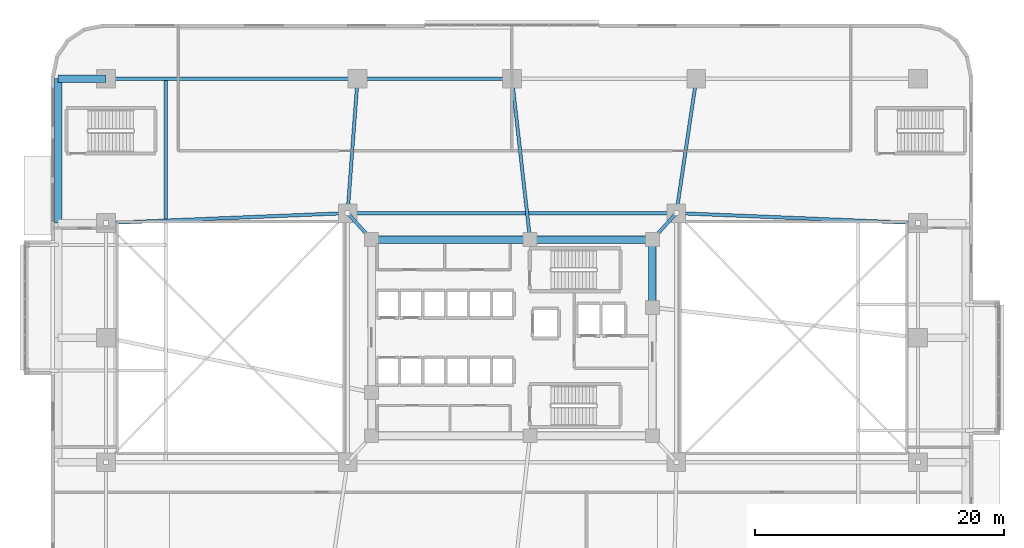
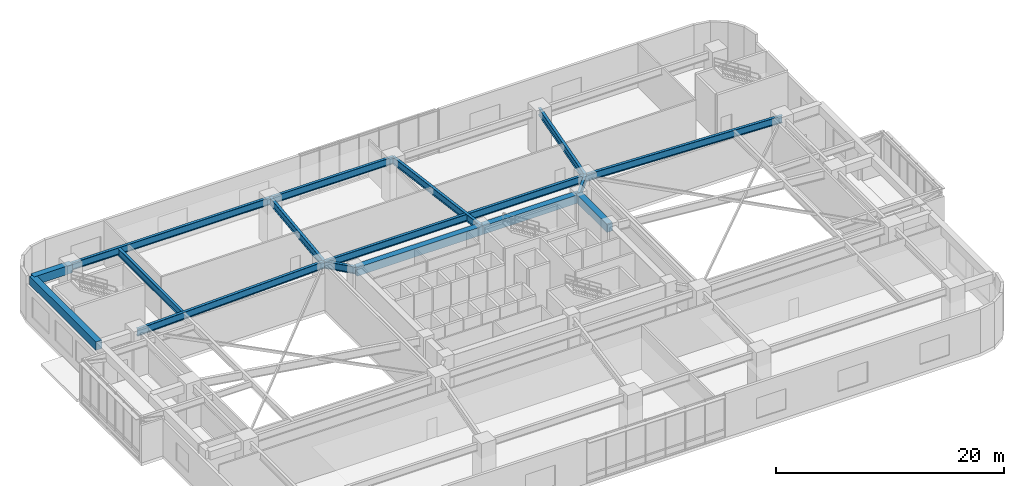
# One storey, part 8 of 26: 16 beams.
"""IFC4 building model written with IfcOpenShell, lengths in metres."""

from ifc_helpers import new_model, si_unit, direction, frame, origin, origin_2d, place, context, subcontext, project, spatial, rectangle, i_section, extrude, material, material_profile, profile_set, type_object, element, save


model = new_model("IFC4")

# Units and contexts
model_context = context("Model", 3, precision=1e-05, world=origin(), true_north=direction((0.0, 1.0)))
body_context = subcontext(model_context, "Body", "Model", "MODEL_VIEW")
ifc_project = project(units=[si_unit("LENGTHUNIT", "METRE"), si_unit("AREAUNIT", "SQUARE_METRE"), si_unit("VOLUMEUNIT", "CUBIC_METRE"), si_unit("PLANEANGLEUNIT", "RADIAN"), si_unit("MASSUNIT", "GRAM", prefix="KILO")], contexts=[model_context])

# Site, building, storey
site_placement = place(None, origin())
site = spatial("IfcSite", under=ifc_project, at=site_placement, CompositionType="ELEMENT")
building_placement = place(site_placement, origin())
building = spatial("IfcBuilding", under=site, at=building_placement, Name="Zulverin Broadcast Headquarters", CompositionType="ELEMENT")
storey_placement = place(building_placement, frame((0.0, 0.0, 15.0)))
storey = spatial("IfcBuildingStorey", under=building, at=storey_placement, Name="L03", CompositionType="ELEMENT", Elevation=15.0)

# Beams
ifc_material_1 = material(Name="Concrete C60/75", Category="concrete")
ifc_material_profile_1 = material_profile(ifc_material_1, rectangle(XDim=0.60009765625, YDim=0.89990234375, at=origin_2d()), Name="Concrete C60/75", Category="concrete")
ifc_profile_set_1 = profile_set([ifc_material_profile_1], Name="Concrete C60/75")
beam_type_1 = type_object("IfcBeamType", Name="BM-CB-600x900", PredefinedType="LINTEL", material=ifc_profile_set_1)
beam_1_placement = place(storey_placement, frame((48.27490234375, 27.6201171875, 4.22998046875), z_axis=(0.0, 1.0, 0.0), x_axis=(-1.0, 0.0, 0.0)))
element("IfcBeam", 1, at=beam_1_placement, inside=storey, type_object=beam_type_1, Name="L03 Core Coupling Girder K04-K05", PredefinedType="LINTEL", context=body_context, shape_type="SweptSolid", body=[
    extrude(rectangle(XDim=0.60009765625, YDim=0.89990234375, at=origin_2d()), origin(), (0.0, 0.0, 1.0), 5.454833984375),
])
beam_2_placement = place(storey_placement, frame((48.27490234375, 33.074951171875, 4.22998046875), z_axis=(-1.0, 0.0, 0.0), x_axis=(0.0, -1.0, 0.0)))
element("IfcBeam", 2, at=beam_2_placement, inside=storey, type_object=beam_type_1, Name="L03 Core Coupling Girder K05-K06", PredefinedType="LINTEL", context=body_context, shape_type="SweptSolid", body=[
    extrude(rectangle(XDim=0.60009765625, YDim=0.89990234375, at=origin_2d()), origin(), (0.0, 0.0, 1.0), 9.824951171875),
])
beam_3_placement = place(storey_placement, frame((38.449951171875, 33.074951171875, 4.22998046875), z_axis=(-1.0, 0.0, 0.0), x_axis=(0.0, -1.0, 0.0)))
element("IfcBeam", 3, at=beam_3_placement, inside=storey, type_object=beam_type_1, Name="L03 Core Coupling Girder K06-K07", PredefinedType="LINTEL", context=body_context, shape_type="SweptSolid", body=[
    extrude(rectangle(XDim=0.60009765625, YDim=0.89990234375, at=origin_2d()), origin(), (0.0, 0.0, 1.0), 12.724853515625),
])
ifc_material_2 = material(Name="Concrete C40/50", Category="concrete")
ifc_material_profile_2 = material_profile(ifc_material_2, rectangle(XDim=0.60009765625, YDim=0.89990234375, at=origin_2d()), Name="Concrete C40/50", Category="concrete")
ifc_profile_set_2 = profile_set([ifc_material_profile_2], Name="Concrete C40/50")
beam_type_2 = type_object("IfcBeamType", Name="BM-RC-600x900", PredefinedType="BEAM", material=ifc_profile_set_2)
beam_4_placement = place(storey_placement, frame((4.39990234375, 46.0, 4.22998046875), z_axis=(-1.0, 0.0, 0.0), x_axis=(0.0, -1.0, 0.0)))
element("IfcBeam", 4, at=beam_4_placement, inside=storey, type_object=beam_type_2, Name="L03 West Perimeter Bracket Girder WBR-4", PredefinedType="BEAM", context=body_context, shape_type="SweptSolid", body=[
    extrude(rectangle(XDim=0.60009765625, YDim=0.89990234375, at=origin_2d()), origin(), (0.0, 0.0, 1.0), 3.849853515625),
])
beam_5_placement = place(storey_placement, frame((0.550048828125, 34.39990234375, 4.22998046875), z_axis=(0.0, 1.0, 0.0), x_axis=(-1.0, 0.0, 0.0)))
element("IfcBeam", 5, at=beam_5_placement, inside=storey, type_object=beam_type_2, Name="L03 West Edge Spandrel Girder WEG-3", PredefinedType="BEAM", context=body_context, shape_type="SweptSolid", body=[
    extrude(rectangle(XDim=0.60009765625, YDim=0.89990234375, at=origin_2d()), origin(), (0.0, 0.0, 1.0), 11.60009765625),
])
ifc_material_3 = material(Name="Structural steel S355JR", Category="steel")
ifc_material_profile_3 = material_profile(ifc_material_3, i_section(OverallWidth=0.26806640625, OverallDepth=0.769775390625, WebThickness=0.015625, FlangeThickness=0.025390625, at=origin_2d()), Name="Structural steel S355JR", Category="steel")
ifc_profile_set_3 = profile_set([ifc_material_profile_3], Name="Structural steel S355JR")
beam_type_3 = type_object("IfcBeamType", Name="BM-UB-762", PredefinedType="BEAM", material=ifc_profile_set_3)
beam_6_placement = place(storey_placement, frame((37.0, 46.0, 4.295166015625), z_axis=(-1.0, 0.0, 0.0), x_axis=(0.0, -1.0, 0.0)))
element("IfcBeam", 6, at=beam_6_placement, inside=storey, type_object=beam_type_3, Name="L03 Podium Primary Girder P08-P07", PredefinedType="BEAM", context=body_context, shape_type="SweptSolid", body=[
    extrude(i_section(OverallWidth=0.26806640625, OverallDepth=0.769775390625, WebThickness=0.015625, FlangeThickness=0.025390625, at=origin_2d()), origin(), (0.0, 0.0, 1.0), 12.39990234375),
])
beam_7_placement = place(storey_placement, frame((24.60009765625, 46.0, 4.295166015625), z_axis=(-1.0, 0.0, 0.0), x_axis=(0.0, -1.0, 0.0)))
element("IfcBeam", 7, at=beam_7_placement, inside=storey, type_object=beam_type_3, Name="L03 Podium Primary Girder P07-P06", PredefinedType="BEAM", context=body_context, shape_type="SweptSolid", body=[
    extrude(i_section(OverallWidth=0.26806640625, OverallDepth=0.769775390625, WebThickness=0.015625, FlangeThickness=0.025390625, at=origin_2d()), origin(), (0.0, 0.0, 1.0), 20.2001953125),
])
for number, where, z_axis, x_axis, name in (
    (8, (50.199951171875, 35.199951171875, 4.295166015625), (-0.671379160881, -0.741114041383, 0.0), (0.741114041383, -0.671379160881, 0.0), "L03 Podium Primary Girder M03-K05"),
    (9, (23.800048828125, 35.199951171875, 4.295166015625), (0.671379160881, -0.741114041383, 0.0), (0.741114041383, 0.671379160881, 0.0), "L03 Podium Primary Girder M04-K07"),
):
    element("IfcBeam", number, at=place(storey_placement, frame(where, z_axis=z_axis, x_axis=x_axis)), inside=storey, type_object=beam_type_3, Name=name, PredefinedType="BEAM", context=body_context, shape_type="SweptSolid", body=[
        extrude(i_section(OverallWidth=0.26806640625, OverallDepth=0.769775390625, WebThickness=0.015625, FlangeThickness=0.025390625, at=origin_2d()), origin(), (0.0, 0.0, 1.0), 2.8671875),
    ])
beam_8_placement = place(storey_placement, frame((50.199951171875, 35.199951171875, 4.295166015625), z_axis=(-1.0, 0.0, 0.0), x_axis=(0.0, -1.0, 0.0)))
element("IfcBeam", 10, at=beam_8_placement, inside=storey, type_object=beam_type_3, Name="L03 Podium Primary Girder M03-M04", PredefinedType="BEAM", context=body_context, shape_type="SweptSolid", body=[
    extrude(i_section(OverallWidth=0.26806640625, OverallDepth=0.769775390625, WebThickness=0.015625, FlangeThickness=0.025390625, at=origin_2d()), origin(), (0.0, 0.0, 1.0), 26.39990234375),
])
beam_9_placement = place(storey_placement, frame((37.0, 46.0, 4.295166015625), z_axis=(0.111482194079, -0.993766431514, 0.0), x_axis=(0.993766431514, 0.111482194079, 0.0)))
element("IfcBeam", 11, at=beam_9_placement, inside=storey, type_object=beam_type_3, Name="L03 Podium Primary Girder P08-K06", PredefinedType="BEAM", context=body_context, shape_type="SweptSolid", body=[
    extrude(i_section(OverallWidth=0.26806640625, OverallDepth=0.769775390625, WebThickness=0.015625, FlangeThickness=0.025390625, at=origin_2d()), origin(), (0.0, 0.0, 1.0), 13.006103515625),
])
beam_10_placement = place(storey_placement, frame((24.60009765625, 46.0, 4.295166015625), z_axis=(-0.0738758375, -0.997267446894, 0.0), x_axis=(0.997267446894, -0.0738758375, 0.0)))
element("IfcBeam", 12, at=beam_10_placement, inside=storey, type_object=beam_type_3, Name="L03 Podium Primary Girder P07-M04", PredefinedType="BEAM", context=body_context, shape_type="SweptSolid", body=[
    extrude(i_section(OverallWidth=0.26806640625, OverallDepth=0.769775390625, WebThickness=0.015625, FlangeThickness=0.025390625, at=origin_2d()), origin(), (0.0, 0.0, 1.0), 10.82958984375),
])
beam_11_placement = place(storey_placement, frame((51.800048828125, 46.0, 4.295166015625), z_axis=(-0.146556765224, -0.989202261707, 0.0), x_axis=(0.989202261707, -0.146556765224, 0.0)))
element("IfcBeam", 13, at=beam_11_placement, inside=storey, type_object=beam_type_3, Name="L03 Podium Primary Girder P09-M03", PredefinedType="BEAM", context=body_context, shape_type="SweptSolid", body=[
    extrude(i_section(OverallWidth=0.26806640625, OverallDepth=0.769775390625, WebThickness=0.015625, FlangeThickness=0.025390625, at=origin_2d()), origin(), (0.0, 0.0, 1.0), 10.91796875),
])
beam_12_placement = place(storey_placement, frame((4.39990234375, 34.39990234375, 4.295166015625), z_axis=(0.999150742371, 0.041204296122, 0.0), x_axis=(-0.041204296122, 0.999150742371, 0.0)))
element("IfcBeam", 14, at=beam_12_placement, inside=storey, type_object=beam_type_3, Name="L03 West Studio North Tie Girder", PredefinedType="BEAM", context=body_context, shape_type="SweptSolid", body=[
    extrude(i_section(OverallWidth=0.26806640625, OverallDepth=0.769775390625, WebThickness=0.015625, FlangeThickness=0.025390625, at=origin_2d()), origin(), (0.0, 0.0, 1.0), 19.416748046875),
])
beam_13_placement = place(storey_placement, frame((9.199951171875, 34.73193359375, 4.295166015625), z_axis=(0.0, 1.0, 0.0), x_axis=(-1.0, 0.0, 0.0)))
element("IfcBeam", 15, at=beam_13_placement, inside=storey, type_object=beam_type_3, Name="L03 West Back-Span Anchor Beam WSBA-2", PredefinedType="BEAM", context=body_context, shape_type="SweptSolid", body=[
    extrude(i_section(OverallWidth=0.26806640625, OverallDepth=0.769775390625, WebThickness=0.015625, FlangeThickness=0.025390625, at=origin_2d()), origin(), (0.0, 0.0, 1.0), 11.134033203125),
])
beam_14_placement = place(storey_placement, frame((50.199951171875, 35.199951171875, 4.295166015625), z_axis=(0.999150742371, -0.041204296122, 0.0), x_axis=(0.041204296122, 0.999150742371, 0.0)))
element("IfcBeam", 16, at=beam_14_placement, inside=storey, type_object=beam_type_3, Name="L03 East Studio North Tie Girder", PredefinedType="BEAM", context=body_context, shape_type="SweptSolid", body=[
    extrude(i_section(OverallWidth=0.26806640625, OverallDepth=0.769775390625, WebThickness=0.015625, FlangeThickness=0.025390625, at=origin_2d()), origin(), (0.0, 0.0, 1.0), 19.416748046875),
])

save(model, "model.ifc")
